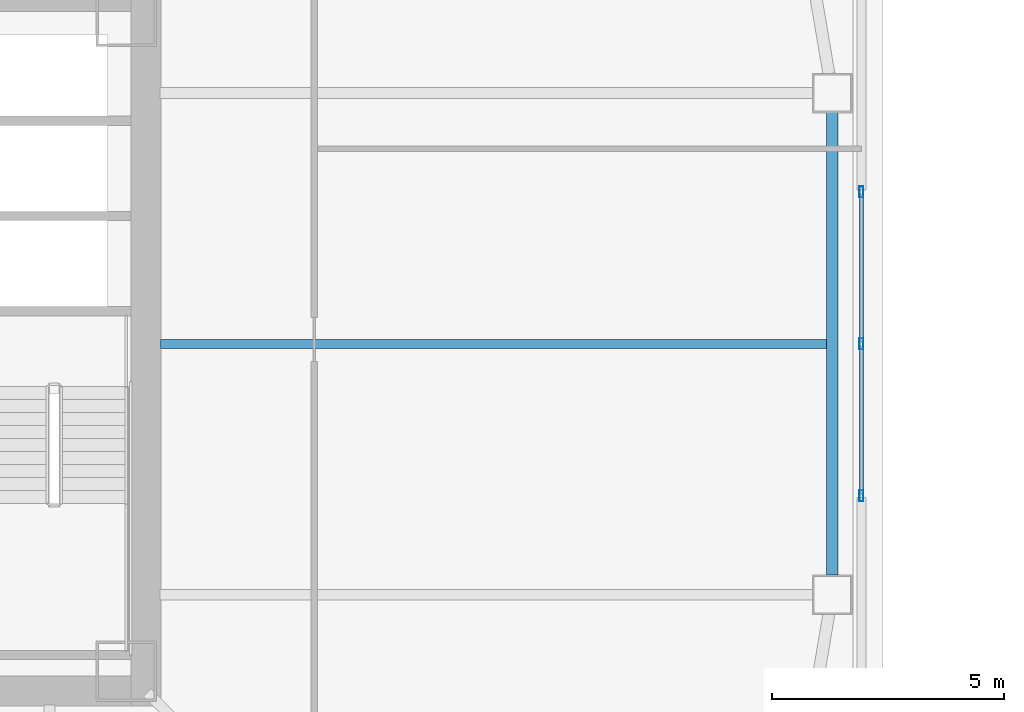
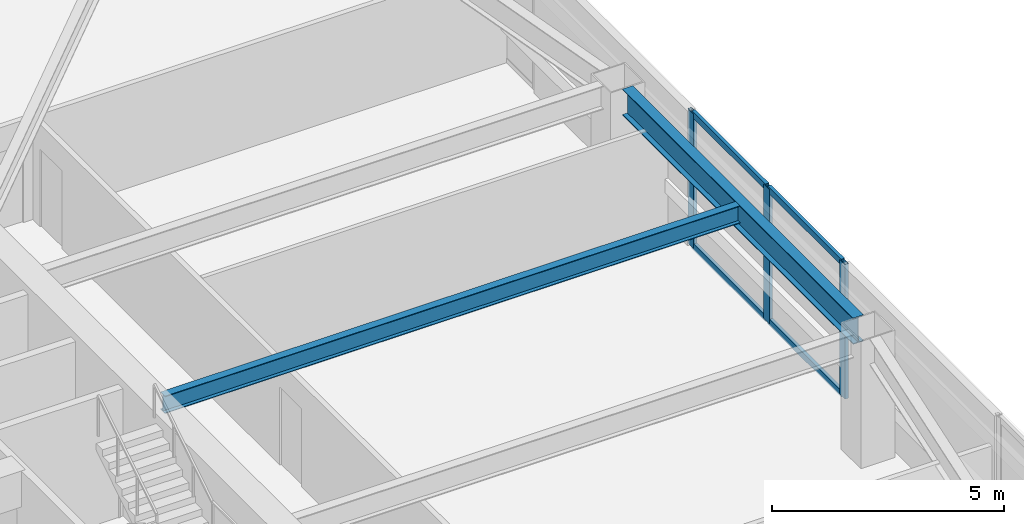
# One storey, part 10 of 46: 7 members, 2 beams, 1 element without a shape of its own.
"""IFC4 building model written with IfcOpenShell, lengths in metres."""

from ifc_helpers import new_model, si_unit, direction, frame, origin, origin_2d, place, context, subcontext, project, spatial, hollow_rectangle, i_section, extrude, material, material_profile, profile_set, type_object, element, aggregate, save


model = new_model("IFC4")

# Units and contexts
model_context = context("Model", 3, precision=1e-05, world=origin(), true_north=direction((0.0, 1.0)))
body_context = subcontext(model_context, "Body", "Model", "MODEL_VIEW")
ifc_project = project(units=[si_unit("LENGTHUNIT", "METRE"), si_unit("AREAUNIT", "SQUARE_METRE"), si_unit("VOLUMEUNIT", "CUBIC_METRE"), si_unit("PLANEANGLEUNIT", "RADIAN"), si_unit("MASSUNIT", "GRAM", prefix="KILO")], contexts=[model_context])

# Site, building, storey
site_placement = place(None, origin())
site = spatial("IfcSite", under=ifc_project, at=site_placement, CompositionType="ELEMENT")
building_placement = place(site_placement, origin())
building = spatial("IfcBuilding", under=site, at=building_placement, Name="Tashvorn Skyway Center", CompositionType="ELEMENT")
storey_placement = place(building_placement, frame((0.0, 0.0, 38.800048828125)))
storey = spatial("IfcBuildingStorey", under=building, at=storey_placement, Name="L09", CompositionType="ELEMENT", Elevation=38.800048828125)

# Beams
ifc_material_1 = material(Name="Steel ASTM A992 Grade 50", Category="steel")
ifc_material_profile_1 = material_profile(ifc_material_1, i_section(OverallWidth=0.19091796875, OverallDepth=0.4599609375, WebThickness=0.010009765625, FlangeThickness=0.01611328125, at=origin_2d()), Name="W18X55")
ifc_profile_set_1 = profile_set([ifc_material_profile_1], Name="Steel ASTM A992 Grade 50")
beam_type_1 = type_object("IfcBeamType", Name="BM-JOIST-W18X55", PredefinedType="JOIST", material=ifc_profile_set_1)
beam_1_placement = place(storey_placement, frame((49.7900390625, 32.0, 3.119873046875), z_axis=(1.0, 0.0, 0.0), x_axis=(0.0, 1.0, 0.0)))
element("IfcBeam", 1, at=beam_1_placement, inside=storey, type_object=beam_type_1, Name="Tower 1 L09 Secondary Composite Joist JE", PredefinedType="JOIST", context=body_context, shape_type="SweptSolid", body=[
    extrude(i_section(OverallWidth=0.19091796875, OverallDepth=0.4599609375, WebThickness=0.010009765625, FlangeThickness=0.01611328125, at=origin_2d()), origin(), (0.0, 0.0, 1.0), 14.33984375),
])
ifc_material_profile_2 = material_profile(ifc_material_1, i_section(OverallWidth=0.256103515625, OverallDepth=0.693115234375, WebThickness=0.014404296875, FlangeThickness=0.023681640625, at=origin_2d()), Name="W27X114")
ifc_profile_set_2 = profile_set([ifc_material_profile_2], Name="Steel ASTM A992 Grade 50")
beam_type_2 = type_object("IfcBeamType", Name="BM-SPANDREL-W27X114", PredefinedType="SPANDREL", material=ifc_profile_set_2)
beam_2_placement = place(storey_placement, frame((64.25, 27.02001953125, 3.00341796875), z_axis=(0.0, 1.0, 0.0), x_axis=(-1.0, 0.0, 0.0)))
element("IfcBeam", 2, at=beam_2_placement, inside=storey, type_object=beam_type_2, Name="Tower 1 L09 Spandrel Beam 05", PredefinedType="SPANDREL", context=body_context, shape_type="SweptSolid", body=[
    extrude(i_section(OverallWidth=0.256103515625, OverallDepth=0.693115234375, WebThickness=0.014404296875, FlangeThickness=0.023681640625, at=origin_2d()), origin(), (0.0, 0.0, 1.0), 9.9599609375),
])

# Curtain wall, members
ifc_material_2 = material(Name="Thermally broken bronze-anodized aluminium 6063-T6", Category="aluminium")
curtain_wall_type = type_object("IfcCurtainWallType", Name="CW-CW-Z1", PredefinedType="NOTDEFINED", material=ifc_material_2)
curtain_wall_placement = place(storey_placement, origin())
curtain_wall = element("IfcCurtainWall", 3, at=curtain_wall_placement, inside=storey, type_object=curtain_wall_type, Name="Tower 1 L09 East Unitised Curtain Wall Glazing Group 2", PredefinedType="NOTDEFINED")
ifc_material_profile_3 = material_profile(ifc_material_2, hollow_rectangle(XDim=0.0849609375, YDim=0.239990234375, WallThickness=0.0048828125, at=origin_2d()), Name="ALU-MULL-85x240")
ifc_profile_set_3 = profile_set([ifc_material_profile_3], Name="Thermally broken bronze-anodized aluminium 6063-T6")
member_type_1 = type_object("IfcMemberType", Name="CWM-CW-Z1", PredefinedType="MULLION", material=ifc_profile_set_3)
member_1_placement = place(storey_placement, frame((64.8798828125, 35.270751953125, 0.0), z_axis=(0.0, 0.0, 1.0), x_axis=(1.0, 0.0, 0.0)))
member_1 = element("IfcMember", 4, at=member_1_placement, type_object=member_type_1, Name="CW-Z1 mullion 1", PredefinedType="MULLION", context=body_context, shape_type="SweptSolid", body=[
    extrude(hollow_rectangle(XDim=0.0849609375, YDim=0.239990234375, WallThickness=0.0048828125, at=origin_2d()), origin(), (0.0, 0.0, 1.0), 3.550048828125),
])
member_2_placement = place(storey_placement, frame((64.8798828125, 32.0, 0.0), z_axis=(0.0, 0.0, 1.0), x_axis=(1.0, 0.0, 0.0)))
member_2 = element("IfcMember", 5, at=member_2_placement, type_object=member_type_1, Name="CW-Z1 mullion 2", PredefinedType="MULLION", context=body_context, shape_type="SweptSolid", body=[
    extrude(hollow_rectangle(XDim=0.0849609375, YDim=0.239990234375, WallThickness=0.0048828125, at=origin_2d()), origin(), (0.0, 0.0, 1.0), 3.550048828125),
])
member_3_placement = place(storey_placement, frame((64.8798828125, 28.729248046875, 0.0), z_axis=(0.0, 0.0, 1.0), x_axis=(1.0, 0.0, 0.0)))
member_3 = element("IfcMember", 6, at=member_3_placement, type_object=member_type_1, Name="CW-Z1 mullion 3", PredefinedType="MULLION", context=body_context, shape_type="SweptSolid", body=[
    extrude(hollow_rectangle(XDim=0.0849609375, YDim=0.239990234375, WallThickness=0.0048828125, at=origin_2d()), origin(), (0.0, 0.0, 1.0), 3.550048828125),
])
ifc_material_profile_4 = material_profile(ifc_material_2, hollow_rectangle(XDim=0.0849609375, YDim=0.1650390625, WallThickness=0.0048828125, at=origin_2d()), Name="ALU-TRAN-85x165")
ifc_profile_set_4 = profile_set([ifc_material_profile_4], Name="Thermally broken bronze-anodized aluminium 6063-T6")
member_type_2 = type_object("IfcMemberType", Name="CWT-CW-Z1", PredefinedType="USERDEFINED", material=ifc_profile_set_4)
member_4_placement = place(storey_placement, frame((64.8798828125, 35.228271484375, 0.04248046875), z_axis=(0.0, -1.0, 0.0), x_axis=(1.0, 0.0, 0.0)))
member_4 = element("IfcMember", 7, at=member_4_placement, type_object=member_type_2, Name="CW-Z1 transom 1.1", ObjectType="TRANSOM", PredefinedType="USERDEFINED", context=body_context, shape_type="SweptSolid", body=[
    extrude(hollow_rectangle(XDim=0.0849609375, YDim=0.1650390625, WallThickness=0.0048828125, at=origin_2d()), origin(), (0.0, 0.0, 1.0), 3.185791015625),
])
member_5_placement = place(storey_placement, frame((64.8798828125, 35.228271484375, 3.507568359375), z_axis=(0.0, -1.0, 0.0), x_axis=(1.0, 0.0, 0.0)))
member_5 = element("IfcMember", 8, at=member_5_placement, type_object=member_type_2, Name="CW-Z1 transom 1.2", ObjectType="TRANSOM", PredefinedType="USERDEFINED", context=body_context, shape_type="SweptSolid", body=[
    extrude(hollow_rectangle(XDim=0.0849609375, YDim=0.1650390625, WallThickness=0.0048828125, at=origin_2d()), origin(), (0.0, 0.0, 1.0), 3.185791015625),
])
member_6_placement = place(storey_placement, frame((64.8798828125, 31.95751953125, 0.04248046875), z_axis=(0.0, -1.0, 0.0), x_axis=(1.0, 0.0, 0.0)))
member_6 = element("IfcMember", 9, at=member_6_placement, type_object=member_type_2, Name="CW-Z1 transom 2.1", ObjectType="TRANSOM", PredefinedType="USERDEFINED", context=body_context, shape_type="SweptSolid", body=[
    extrude(hollow_rectangle(XDim=0.0849609375, YDim=0.1650390625, WallThickness=0.0048828125, at=origin_2d()), origin(), (0.0, 0.0, 1.0), 3.185791015625),
])
member_7_placement = place(storey_placement, frame((64.8798828125, 31.95751953125, 3.507568359375), z_axis=(0.0, -1.0, 0.0), x_axis=(1.0, 0.0, 0.0)))
member_7 = element("IfcMember", 10, at=member_7_placement, type_object=member_type_2, Name="CW-Z1 transom 2.2", ObjectType="TRANSOM", PredefinedType="USERDEFINED", context=body_context, shape_type="SweptSolid", body=[
    extrude(hollow_rectangle(XDim=0.0849609375, YDim=0.1650390625, WallThickness=0.0048828125, at=origin_2d()), origin(), (0.0, 0.0, 1.0), 3.185791015625),
])
aggregate(curtain_wall, [member_1, member_2, member_3, member_4, member_5, member_6, member_7])

save(model, "model.ifc")
